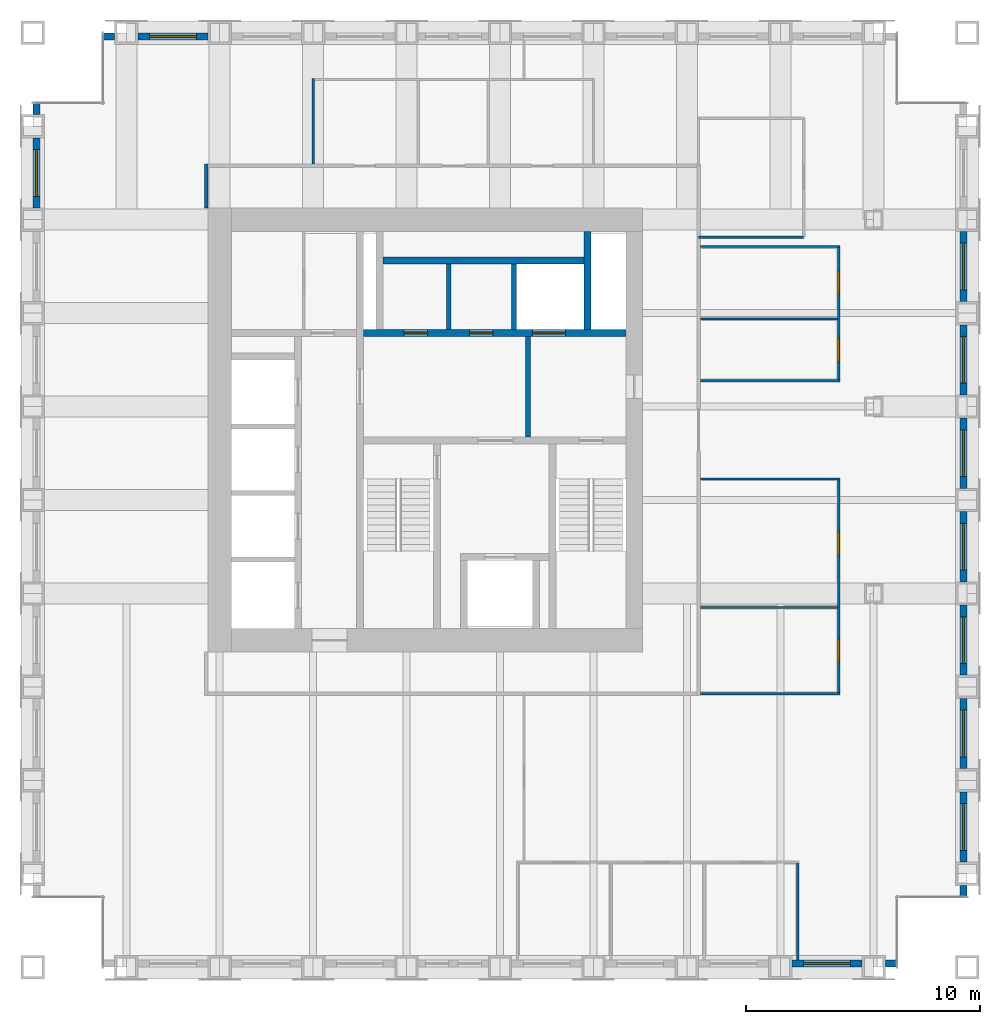
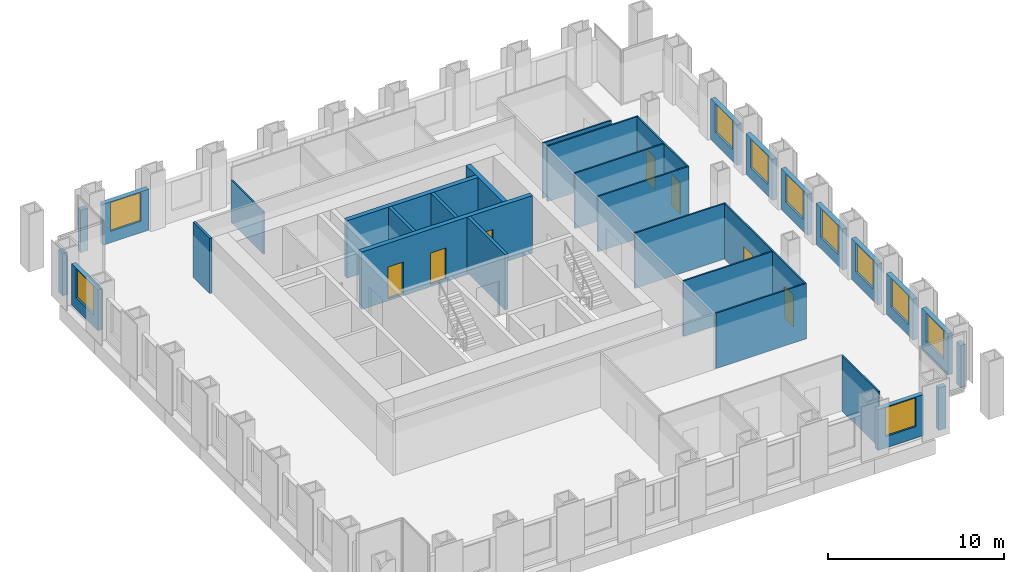
# One storey, part 9 of 11: 32 walls, 10 windows, 7 doors, 17 openings.
"""IFC4 building model written with IfcOpenShell, lengths in metres."""

import ifcopenshell
import ifcopenshell.guid

model = None  # the IFC model being written
_history = None  # IfcOwnerHistory: only IFC2X3 demands one
_inside = {}  # id of a spatial element -> (the spatial element, [elements in it])
_under = {}  # id of a project, library or spatial element -> (it, [spatial elements below it])
_declared = {}  # id of a project -> (the project, [libraries it declares])
_typed = {}  # id of a type object -> (the type object, [elements of that type])
_made_of = {}  # id of a material, layer set ... -> (it, [elements and type objects made of it])


def new_model(schema):
    """Start an empty IFC model of exactly this schema.

    Asked for "IFC4X3", IfcOpenShell would pick the latest addendum, in which some entities
    have other attributes; the version numbers below select the first issue.
    IFC2X3 requires an IfcOwnerHistory on every rooted entity: one is made here for all.
    """
    global model, _history
    if schema == "IFC4X3":
        model = ifcopenshell.file(schema_version=(4, 3, 0, 0))
    else:
        model = ifcopenshell.file(schema=schema)
    _inside.clear()
    _under.clear()
    _declared.clear()
    _typed.clear()
    _made_of.clear()
    _history = None
    if model.schema == "IFC2X3":
        org = make("IfcOrganization", Name="unknown")
        user = make(
            "IfcPersonAndOrganization",
            ThePerson=make("IfcPerson", FamilyName="unknown"),
            TheOrganization=org,
        )
        app = make(
            "IfcApplication",
            ApplicationDeveloper=org,
            Version="unknown",
            ApplicationFullName="unknown",
            ApplicationIdentifier="unknown",
        )
        _history = make(
            "IfcOwnerHistory",
            OwningUser=user,
            OwningApplication=app,
            ChangeAction="ADDED",
            CreationDate=0,
        )
    return model


def make(cls, **values):
    """One entity of the class cls with the attributes given. An attribute that is None is left unset."""
    return model.create_entity(
        cls, **{name: value for name, value in values.items() if value is not None}
    )


def rooted(cls, **values):
    """An entity with a GlobalId (a new one), such as an element, a storey or a relation."""
    return make(cls, GlobalId=ifcopenshell.guid.new(), OwnerHistory=_history, **values)


def si_unit(unit_type, name, prefix=None):
    """IfcSIUnit, for example si_unit("LENGTHUNIT", "METRE", prefix="MILLI")."""
    return make("IfcSIUnit", UnitType=unit_type, Prefix=prefix, Name=name)


def assignment(units):
    """IfcUnitAssignment: the units of a project."""
    return None if units is None else make("IfcUnitAssignment", Units=units)


def point(xyz):
    """IfcCartesianPoint."""
    return None if xyz is None else make("IfcCartesianPoint", Coordinates=xyz)


def direction(xyz):
    """IfcDirection."""
    return None if xyz is None else make("IfcDirection", DirectionRatios=xyz)


def frame(location, z_axis=None, x_axis=None):
    """IfcAxis2Placement3D, a coordinate frame: its origin and axes. An axis left out is left unset."""
    return make(
        "IfcAxis2Placement3D",
        Location=point(location),
        Axis=direction(z_axis),
        RefDirection=direction(x_axis),
    )


def frame_2d(location, x_axis=None):
    """IfcAxis2Placement2D, a coordinate frame in the plane: its origin and x axis."""
    return make(
        "IfcAxis2Placement2D", Location=point(location), RefDirection=direction(x_axis)
    )


def origin():
    """The frame at (0, 0, 0) with its axes left unset."""
    return frame((0.0, 0.0, 0.0))


def place(relative_to, where):
    """IfcLocalPlacement: puts the frame where relative to a parent placement (None: the world)."""
    return make(
        "IfcLocalPlacement", PlacementRelTo=relative_to, RelativePlacement=where
    )


def context(
    kind, dimensions, precision=None, world=None, true_north=None, identifier=None
):
    """IfcGeometricRepresentationContext, for example the 3D "Model" context."""
    return make(
        "IfcGeometricRepresentationContext",
        ContextIdentifier=identifier,
        ContextType=kind,
        CoordinateSpaceDimension=dimensions,
        Precision=precision,
        WorldCoordinateSystem=world,
        TrueNorth=true_north,
    )


def subcontext(parent, identifier, kind, view, scale=None):
    """IfcGeometricRepresentationSubContext, for example "Body" below "Model"."""
    return make(
        "IfcGeometricRepresentationSubContext",
        ContextIdentifier=identifier,
        ContextType=kind,
        ParentContext=parent,
        TargetScale=scale,
        TargetView=view,
    )


def project(units=None, contexts=None):
    """IfcProject with its units and contexts."""
    return rooted(
        "IfcProject",
        Name="project",
        RepresentationContexts=contexts,
        UnitsInContext=assignment(units),
    )


def spatial(cls, under=None, at=None, **own):
    """A site, building, storey or space (cls), placed at a placement, below another one or the project."""
    s = rooted(cls, ObjectPlacement=at, **own)
    if under is not None:
        _under.setdefault(under.id(), (under, []))[1].append(s)
    return s


def profile(cls, at=None, kind="AREA", **sizes):
    """A parametric profile (cls). Its sizes go by their IFC names, for example OverallWidth=200.0."""
    return make(cls, ProfileType=kind, Position=at, **sizes)


def rectangle(**sizes):
    """IfcRectangleProfileDef."""
    return profile("IfcRectangleProfileDef", **sizes)


def extrude(swept, where, along, depth):
    """IfcExtrudedAreaSolid: the profile swept, set in the frame where, extruded along a direction by depth."""
    return make(
        "IfcExtrudedAreaSolid",
        SweptArea=swept,
        Position=where,
        ExtrudedDirection=direction(along),
        Depth=depth,
    )


def shape(context_of_items, identifier, shape_type, items):
    """IfcShapeRepresentation: the items that make up one representation, for example the "Body"."""
    return make(
        "IfcShapeRepresentation",
        ContextOfItems=context_of_items,
        RepresentationIdentifier=identifier,
        RepresentationType=shape_type,
        Items=items,
    )


def material(Name=None, Category=None):
    """IfcMaterial."""
    return make("IfcMaterial", Name=Name, Category=Category)


def layer(
    of_material, thickness, ventilated=None, Name=None, Category=None, Priority=None
):
    """IfcMaterialLayer: one layer of a wall or slab, of a material (None: an air gap)."""
    return make(
        "IfcMaterialLayer",
        Material=of_material,
        LayerThickness=thickness,
        IsVentilated=ventilated,
        Name=Name,
        Category=Category,
        Priority=Priority,
    )


def layer_set(layers, Name=None):
    """IfcMaterialLayerSet."""
    return make("IfcMaterialLayerSet", MaterialLayers=layers, LayerSetName=Name)


def made_of(thing, what):
    """Note that an element or type object is made of a material, layer set ...; save() writes the relation."""
    if what is not None:
        _made_of.setdefault(what.id(), (what, []))[1].append(thing)
    return thing


def type_object(cls, material=None, **own):
    """A type object (cls), such as IfcWallType, which elements share."""
    return made_of(rooted(cls, **own), material)


def element(
    cls,
    number,
    at=None,
    inside=None,
    cuts=None,
    type_object=None,
    material=None,
    context=None,
    identifier="Body",
    shape_type=None,
    held_by="IfcProductDefinitionShape",
    body=None,
    shapes=None,
    **own,
):
    """One element of the class cls, such as IfcWall. Its Tag is "e" and its number.

    at: its placement. inside: the storey or other place that contains it. cuts: it is an
    opening in that element (IfcRelVoidsElement). A single representation is given by context,
    identifier, shape_type and body (its items); several are given by shapes. held_by: the class
    of the entity that holds the representations. save() writes the other relations.
    """
    e = rooted(cls, Tag="e%d" % number, ObjectPlacement=at, **own)
    if body is not None:
        shapes = [shape(context, identifier, shape_type, body)]
    if shapes is not None:
        e.Representation = make(held_by, Representations=shapes)
    if inside is not None:
        _inside.setdefault(inside.id(), (inside, []))[1].append(e)
    if cuts is not None:
        rooted(
            "IfcRelVoidsElement", RelatingBuildingElement=cuts, RelatedOpeningElement=e
        )
    if type_object is not None:
        _typed.setdefault(type_object.id(), (type_object, []))[1].append(e)
    return made_of(e, material)


def fill(opening, filler):
    """IfcRelFillsElement: the door or window that sits in an opening."""
    return rooted(
        "IfcRelFillsElement",
        RelatingOpeningElement=opening,
        RelatedBuildingElement=filler,
    )


def aggregate(whole, parts):
    """IfcRelAggregates: a whole, such as a stair, and the parts it consists of."""
    return rooted("IfcRelAggregates", RelatingObject=whole, RelatedObjects=parts)


def save(model, path):
    """Write the relations noted so far, then the file.

    IfcRelAggregates (storeys below a building ...), IfcRelContainedInSpatialStructure (elements
    in a storey), IfcRelDefinesByType, IfcRelAssociatesMaterial and IfcRelDeclares: one each for
    every whole, place, type object, material and project.
    """
    for whole, parts in _under.values():
        aggregate(whole, parts)
    for where, things in _inside.values():
        rooted(
            "IfcRelContainedInSpatialStructure",
            RelatedElements=things,
            RelatingStructure=where,
        )
    for kind, things in _typed.values():
        rooted("IfcRelDefinesByType", RelatedObjects=things, RelatingType=kind)
    for what, things in _made_of.values():
        rooted("IfcRelAssociatesMaterial", RelatedObjects=things, RelatingMaterial=what)
    for by, libraries in _declared.values():
        rooted("IfcRelDeclares", RelatingContext=by, RelatedDefinitions=libraries)
    model.write(path)


model = new_model("IFC4")

# Units and contexts
model_context = context("Model", 3, precision=1e-05, world=origin(), true_north=direction((0.0, 1.0)))
body_context = subcontext(model_context, "Body", "Model", "MODEL_VIEW")
ifc_project = project(units=[si_unit("LENGTHUNIT", "METRE"), si_unit("AREAUNIT", "SQUARE_METRE"), si_unit("VOLUMEUNIT", "CUBIC_METRE"), si_unit("PLANEANGLEUNIT", "RADIAN"), si_unit("MASSUNIT", "GRAM", prefix="KILO")], contexts=[model_context])

# Site, building, storey
site_placement = place(None, origin())
site = spatial("IfcSite", under=ifc_project, at=site_placement, CompositionType="ELEMENT")
building_placement = place(site_placement, origin())
building = spatial("IfcBuilding", under=site, at=building_placement, Name="Rimbunsela Tower", CompositionType="ELEMENT")
storey_placement = place(building_placement, frame((0.0, 0.0, 250.199951171875)))
storey = spatial("IfcBuildingStorey", under=building, at=storey_placement, Name="L60", CompositionType="ELEMENT", Elevation=250.199951171875)

# Wall, openings, doors
ifc_material_1 = material(Name="Concrete fc' 80 MPa", Category="concrete")
ifc_layer_1 = layer(ifc_material_1, 0.300048828125)
ifc_layer_set_1 = layer_set([ifc_layer_1], Name="Core internal wall 300")
wall_type_1 = type_object("IfcWallType", Name="Core internal wall 300", PredefinedType="SHEAR", material=ifc_layer_set_1)
wall_1_placement = place(storey_placement, frame((24.14990234375, 31.14990234375, -0.14990234375), z_axis=(0.0, 0.0, 1.0), x_axis=(1.0, 0.0, 0.0)))
wall_1 = element("IfcWall", 1, at=wall_1_placement, inside=storey, type_object=wall_type_1, Name="Lift shaft front north", PredefinedType="SHEAR", context=body_context, shape_type="SweptSolid", body=[
    extrude(rectangle(XDim=11.25, YDim=0.300048828125, at=frame_2d((5.625, 0.0))), origin(), (0.0, 0.0, 1.0), 4.0),
])
opening_1_placement = place(wall_1_placement, frame((1.75, 0.0, 0.14990234375)))
opening_1 = element("IfcOpeningElement", 2, at=opening_1_placement, cuts=wall_1, Name="Opening D19", PredefinedType="OPENING", context=body_context, shape_type="SweptSolid", body=[
    extrude(rectangle(XDim=1.0, YDim=2.199951171875, at=frame_2d((0.5, 1.10009765625))), frame((0.0, 0.159912109375, 0.0), z_axis=(0.0, -1.0, 0.0), x_axis=(1.0, 0.0, 0.0)), (0.0, 0.0, 1.0), 0.320068359375),
])
opening_2_placement = place(wall_1_placement, frame((4.550048828125, 0.0, 0.14990234375)))
opening_2 = element("IfcOpeningElement", 3, at=opening_2_placement, cuts=wall_1, Name="Opening D19", PredefinedType="OPENING", context=body_context, shape_type="SweptSolid", body=[
    extrude(rectangle(XDim=1.0, YDim=2.199951171875, at=frame_2d((0.5, 1.10009765625))), frame((0.0, 0.159912109375, 0.0), z_axis=(0.0, -1.0, 0.0), x_axis=(1.0, 0.0, 0.0)), (0.0, 0.0, 1.0), 0.320068359375),
])
opening_3_placement = place(wall_1_placement, frame((7.25, 0.0, 0.14990234375)))
opening_3 = element("IfcOpeningElement", 4, at=opening_3_placement, cuts=wall_1, Name="Opening LD3", PredefinedType="OPENING", context=body_context, shape_type="SweptSolid", body=[
    extrude(rectangle(XDim=1.39990234375, YDim=2.39990234375, at=frame_2d((0.699951171875, 1.199951171875))), frame((0.0, 0.159912109375, 0.0), z_axis=(0.0, -1.0, 0.0), x_axis=(1.0, 0.0, 0.0)), (0.0, 0.0, 1.0), 0.320068359375),
])
ifc_material_2 = material(Name="Steel door, fire rated", Category="steel")
door_type_1 = type_object("IfcDoorType", Name="Lift landing door 1400", OperationType="DOUBLE_DOOR_SLIDING", PredefinedType="DOOR", material=ifc_material_2)
door_1_placement = place(opening_3_placement, origin())
door_1 = element("IfcDoor", 5, at=door_1_placement, inside=storey, type_object=door_type_1, Name="Lift landing door FL2", OperationType="DOUBLE_DOOR_SLIDING", OverallHeight=2.39990234375, OverallWidth=1.39990234375, PredefinedType="DOOR", context=body_context, shape_type="SweptSolid", body=[
    extrude(rectangle(XDim=1.39990234375, YDim=2.39990234375, at=frame_2d((0.699951171875, 1.199951171875))), frame((0.0, 0.02490234375, 0.0), z_axis=(0.0, -1.0, 0.0), x_axis=(1.0, 0.0, 0.0)), (0.0, 0.0, 1.0), 0.050048828125),
])
fill(opening_3, door_1)
ifc_material_3 = material(Name="Steel door, fire rated", Category="steel")
door_type_2 = type_object("IfcDoorType", Name="Service door 1000 fire rated", OperationType="SINGLE_SWING_LEFT", PredefinedType="DOOR", material=ifc_material_3)
door_2_placement = place(opening_1_placement, origin())
door_2 = element("IfcDoor", 6, at=door_2_placement, inside=storey, type_object=door_type_2, Name="Staff WC door", OperationType="SINGLE_SWING_LEFT", OverallHeight=2.199951171875, OverallWidth=1.0, PredefinedType="DOOR", context=body_context, shape_type="SweptSolid", body=[
    extrude(rectangle(XDim=1.0, YDim=2.199951171875, at=frame_2d((0.5, 1.10009765625))), frame((0.0, 0.02490234375, 0.0), z_axis=(0.0, -1.0, 0.0), x_axis=(1.0, 0.0, 0.0)), (0.0, 0.0, 1.0), 0.050048828125),
])
fill(opening_1, door_2)
door_3_placement = place(opening_2_placement, origin())
door_3 = element("IfcDoor", 7, at=door_3_placement, inside=storey, type_object=door_type_2, Name="Cleaners store door", OperationType="SINGLE_SWING_LEFT", OverallHeight=2.199951171875, OverallWidth=1.0, PredefinedType="DOOR", context=body_context, shape_type="SweptSolid", body=[
    extrude(rectangle(XDim=1.0, YDim=2.199951171875, at=frame_2d((0.5, 1.10009765625))), frame((0.0, 0.02490234375, 0.0), z_axis=(0.0, -1.0, 0.0), x_axis=(1.0, 0.0, 0.0)), (0.0, 0.0, 1.0), 0.050048828125),
])
fill(opening_2, door_3)

# Walls
wall_2_placement = place(storey_placement, frame((33.75, 31.300048828125, -0.14990234375), z_axis=(0.0, 0.0, 1.0), x_axis=(0.0, 1.0, 0.0)))
element("IfcWall", 8, at=wall_2_placement, inside=storey, type_object=wall_type_1, Name="Riser wall", PredefinedType="SHEAR", context=body_context, shape_type="SweptSolid", body=[
    extrude(rectangle(XDim=4.199951171875, YDim=0.300048828125, at=frame_2d((2.10009765625, 0.0))), origin(), (0.0, 0.0, 1.0), 4.0),
])
wall_3_placement = place(storey_placement, frame((25.0, 34.25, -0.14990234375), z_axis=(0.0, 0.0, 1.0), x_axis=(1.0, 0.0, 0.0)))
element("IfcWall", 9, at=wall_3_placement, inside=storey, type_object=wall_type_1, Name="Lift shaft rear north", PredefinedType="SHEAR", context=body_context, shape_type="SweptSolid", body=[
    extrude(rectangle(XDim=8.60009765625, YDim=0.300048828125, at=frame_2d((4.300048828125, 0.0))), origin(), (0.0, 0.0, 1.0), 4.0),
])
ifc_material_4 = material(Name="Concrete blockwork", Category="masonry")
ifc_layer_2 = layer(ifc_material_4, 0.199951171875)
ifc_layer_set_2 = layer_set([ifc_layer_2], Name="Lift shaft wall 200")
wall_type_2 = type_object("IfcWallType", Name="Lift shaft wall 200", PredefinedType="SOLIDWALL", material=ifc_layer_set_2)
for number, where, z_axis, x_axis, name in (
    (10, (27.800048828125, 31.300048828125, -0.14990234375), (0.0, 0.0, 1.0), (0.0, 1.0, 0.0), "Lift shaft separation"),
    (11, (30.60009765625, 31.300048828125, -0.14990234375), (0.0, 0.0, 1.0), (0.0, 1.0, 0.0), "Lift shaft separation"),
):
    element("IfcWall", number, at=place(storey_placement, frame(where, z_axis=z_axis, x_axis=x_axis)), inside=storey, type_object=wall_type_2, Name=name, PredefinedType="SOLIDWALL", context=body_context, shape_type="SweptSolid", body=[
        extrude(rectangle(XDim=2.800048828125, YDim=0.199951171875, at=frame_2d((1.39990234375, 0.0))), origin(), (0.0, 0.0, 1.0), 4.0),
    ])
wall_4_placement = place(storey_placement, frame((31.199951171875, 26.699951171875, 0.0), z_axis=(0.0, 0.0, 1.0), x_axis=(0.0, 1.0, 0.0)))
element("IfcWall", 12, at=wall_4_placement, inside=storey, type_object=wall_type_2, Name="Firefighting lobby 2 wall", PredefinedType="SOLIDWALL", context=body_context, shape_type="SweptSolid", body=[
    extrude(rectangle(XDim=4.300048828125, YDim=0.199951171875, at=frame_2d((2.14990234375, 0.0))), origin(), (0.0, 0.0, 1.0), 3.85009765625),
])
ifc_material_5 = material(Name="Gypsum board on steel studs", Category="steel")
ifc_layer_3 = layer(ifc_material_5, 0.10009765625)
ifc_layer_set_3 = layer_set([ifc_layer_3], Name="Office partition 100")
wall_type_3 = type_object("IfcWallType", Name="Office partition 100", PredefinedType="PARTITIONING", material=ifc_layer_set_3)
wall_5_placement = place(storey_placement, frame((38.574951171875, 15.699951171875, 0.0), z_axis=(0.0, 0.0, 1.0), x_axis=(1.0, 0.0, 0.0)))
element("IfcWall", 13, at=wall_5_placement, inside=storey, type_object=wall_type_3, Name="Office partition", PredefinedType="PARTITIONING", context=body_context, shape_type="SweptSolid", body=[
    extrude(rectangle(XDim=5.97509765625, YDim=0.10009765625, at=frame_2d((2.987548828125, 0.0))), origin(), (0.0, 0.0, 1.0), 3.85009765625),
])
wall_6_placement = place(storey_placement, frame((38.574951171875, 19.39990234375, 0.0), z_axis=(0.0, 0.0, 1.0), x_axis=(1.0, 0.0, 0.0)))
element("IfcWall", 14, at=wall_6_placement, inside=storey, type_object=wall_type_3, Name="Office partition", PredefinedType="PARTITIONING", context=body_context, shape_type="SweptSolid", body=[
    extrude(rectangle(XDim=5.875, YDim=0.10009765625, at=frame_2d((2.9375, 0.0))), origin(), (0.0, 0.0, 1.0), 3.85009765625),
])
for number, where, z_axis, x_axis, name in (
    (15, (38.574951171875, 24.89990234375, 0.0), (0.0, 0.0, 1.0), (1.0, 0.0, 0.0), "Office partition"),
    (16, (38.574951171875, 29.10009765625, 0.0), (0.0, 0.0, 1.0), (1.0, 0.0, 0.0), "Office partition"),
):
    element("IfcWall", number, at=place(storey_placement, frame(where, z_axis=z_axis, x_axis=x_axis)), inside=storey, type_object=wall_type_3, Name=name, PredefinedType="PARTITIONING", context=body_context, shape_type="SweptSolid", body=[
        extrude(rectangle(XDim=5.97509765625, YDim=0.10009765625, at=frame_2d((2.987548828125, 0.0))), origin(), (0.0, 0.0, 1.0), 3.85009765625),
    ])
wall_7_placement = place(storey_placement, frame((38.574951171875, 31.75, 0.0), z_axis=(0.0, 0.0, 1.0), x_axis=(1.0, 0.0, 0.0)))
element("IfcWall", 17, at=wall_7_placement, inside=storey, type_object=wall_type_3, Name="Office partition", PredefinedType="PARTITIONING", context=body_context, shape_type="SweptSolid", body=[
    extrude(rectangle(XDim=5.875, YDim=0.10009765625, at=frame_2d((2.9375, 0.0))), origin(), (0.0, 0.0, 1.0), 3.85009765625),
])
wall_8_placement = place(storey_placement, frame((38.574951171875, 34.85009765625, 0.0), z_axis=(0.0, 0.0, 1.0), x_axis=(1.0, 0.0, 0.0)))
element("IfcWall", 18, at=wall_8_placement, inside=storey, type_object=wall_type_3, Name="Office partition", PredefinedType="PARTITIONING", context=body_context, shape_type="SweptSolid", body=[
    extrude(rectangle(XDim=5.97509765625, YDim=0.10009765625, at=frame_2d((2.987548828125, 0.0))), origin(), (0.0, 0.0, 1.0), 3.85009765625),
])
wall_9_placement = place(storey_placement, frame((42.75, 4.300048828125, 0.0), z_axis=(0.0, 0.0, 1.0), x_axis=(0.0, 1.0, 0.0)))
element("IfcWall", 19, at=wall_9_placement, inside=storey, type_object=wall_type_3, Name="Office partition", PredefinedType="PARTITIONING", context=body_context, shape_type="SweptSolid", body=[
    extrude(rectangle(XDim=4.14990234375, YDim=0.10009765625, at=frame_2d((2.074951171875, 0.0))), origin(), (0.0, 0.0, 1.0), 3.85009765625),
])

# Wall, openings, doors
wall_10_placement = place(storey_placement, frame((44.5, 15.75, 0.0), z_axis=(0.0, 0.0, 1.0), x_axis=(0.0, 1.0, 0.0)))
wall_10 = element("IfcWall", 20, at=wall_10_placement, inside=storey, type_object=wall_type_3, Name="Office partition", PredefinedType="PARTITIONING", context=body_context, shape_type="SweptSolid", body=[
    extrude(rectangle(XDim=9.10009765625, YDim=0.10009765625, at=frame_2d((4.550048828125, 0.0))), origin(), (0.0, 0.0, 1.0), 3.85009765625),
])
opening_4_placement = place(wall_10_placement, frame((1.300048828125, 0.0, 0.0)))
opening_4 = element("IfcOpeningElement", 21, at=opening_4_placement, cuts=wall_10, Name="Opening D17", PredefinedType="OPENING", context=body_context, shape_type="SweptSolid", body=[
    extrude(rectangle(XDim=1.0, YDim=2.199951171875, at=frame_2d((0.5, 1.10009765625))), frame((0.0, 0.06005859375, 0.0), z_axis=(0.0, -1.0, 0.0), x_axis=(1.0, 0.0, 0.0)), (0.0, 0.0, 1.0), 0.1201171875),
])
opening_5_placement = place(wall_10_placement, frame((5.89990234375, 0.0, 0.0)))
opening_5 = element("IfcOpeningElement", 22, at=opening_5_placement, cuts=wall_10, Name="Opening D16", PredefinedType="OPENING", context=body_context, shape_type="SweptSolid", body=[
    extrude(rectangle(XDim=1.0, YDim=2.199951171875, at=frame_2d((0.5, 1.10009765625))), frame((0.0, 0.06005859375, 0.0), z_axis=(0.0, -1.0, 0.0), x_axis=(1.0, 0.0, 0.0)), (0.0, 0.0, 1.0), 0.1201171875),
])
ifc_material_6 = material(Name="Glazed aluminium door", Category="aluminium")
door_type_3 = type_object("IfcDoorType", Name="Meeting room door 1000 glazed", OperationType="SINGLE_SWING_RIGHT", PredefinedType="DOOR", material=ifc_material_6)
door_4_placement = place(opening_4_placement, origin())
door_4 = element("IfcDoor", 23, at=door_4_placement, inside=storey, type_object=door_type_3, Name="Meeting room door", OperationType="SINGLE_SWING_RIGHT", OverallHeight=2.199951171875, OverallWidth=1.0, PredefinedType="DOOR", context=body_context, shape_type="SweptSolid", body=[
    extrude(rectangle(XDim=1.0, YDim=2.199951171875, at=frame_2d((0.5, 1.10009765625))), frame((0.0, 0.02490234375, 0.0), z_axis=(0.0, -1.0, 0.0), x_axis=(1.0, 0.0, 0.0)), (0.0, 0.0, 1.0), 0.050048828125),
])
fill(opening_4, door_4)
ifc_material_7 = material(Name="Timber door", Category="wood")
door_type_4 = type_object("IfcDoorType", Name="Office door 1000", OperationType="SINGLE_SWING_LEFT", PredefinedType="DOOR", material=ifc_material_7)
door_5_placement = place(opening_5_placement, origin())
door_5 = element("IfcDoor", 24, at=door_5_placement, inside=storey, type_object=door_type_4, Name="Office door", OperationType="SINGLE_SWING_LEFT", OverallHeight=2.199951171875, OverallWidth=1.0, PredefinedType="DOOR", context=body_context, shape_type="SweptSolid", body=[
    extrude(rectangle(XDim=1.0, YDim=2.199951171875, at=frame_2d((0.5, 1.10009765625))), frame((0.0, 0.02490234375, 0.0), z_axis=(0.0, -1.0, 0.0), x_axis=(1.0, 0.0, 0.0)), (0.0, 0.0, 1.0), 0.050048828125),
])
fill(opening_5, door_5)

wall_11_placement = place(storey_placement, frame((44.5, 29.14990234375, 0.0), z_axis=(0.0, 0.0, 1.0), x_axis=(0.0, 1.0, 0.0)))
wall_11 = element("IfcWall", 25, at=wall_11_placement, inside=storey, type_object=wall_type_3, Name="Office partition", PredefinedType="PARTITIONING", context=body_context, shape_type="SweptSolid", body=[
    extrude(rectangle(XDim=5.650146484375, YDim=0.10009765625, at=frame_2d((2.8251953125, 0.0))), origin(), (0.0, 0.0, 1.0), 3.85009765625),
])
opening_6_placement = place(wall_11_placement, frame((0.77490234375, 0.0, 0.0)))
opening_6 = element("IfcOpeningElement", 26, at=opening_6_placement, cuts=wall_11, Name="Opening D16", PredefinedType="OPENING", context=body_context, shape_type="SweptSolid", body=[
    extrude(rectangle(XDim=1.0, YDim=2.199951171875, at=frame_2d((0.5, 1.10009765625))), frame((0.0, 0.06005859375, 0.0), z_axis=(0.0, -1.0, 0.0), x_axis=(1.0, 0.0, 0.0)), (0.0, 0.0, 1.0), 0.1201171875),
])
opening_7_placement = place(wall_11_placement, frame((3.64990234375, 0.0, 0.0)))
opening_7 = element("IfcOpeningElement", 27, at=opening_7_placement, cuts=wall_11, Name="Opening D16", PredefinedType="OPENING", context=body_context, shape_type="SweptSolid", body=[
    extrude(rectangle(XDim=1.0, YDim=2.199951171875, at=frame_2d((0.5, 1.10009765625))), frame((0.0, 0.06005859375, 0.0), z_axis=(0.0, -1.0, 0.0), x_axis=(1.0, 0.0, 0.0)), (0.0, 0.0, 1.0), 0.1201171875),
])
door_6_placement = place(opening_6_placement, origin())
door_6 = element("IfcDoor", 28, at=door_6_placement, inside=storey, type_object=door_type_4, Name="Office door", OperationType="SINGLE_SWING_LEFT", OverallHeight=2.199951171875, OverallWidth=1.0, PredefinedType="DOOR", context=body_context, shape_type="SweptSolid", body=[
    extrude(rectangle(XDim=1.0, YDim=2.199951171875, at=frame_2d((0.5, 1.10009765625))), frame((0.0, 0.02490234375, 0.0), z_axis=(0.0, -1.0, 0.0), x_axis=(1.0, 0.0, 0.0)), (0.0, 0.0, 1.0), 0.050048828125),
])
fill(opening_6, door_6)
door_7_placement = place(opening_7_placement, origin())
door_7 = element("IfcDoor", 29, at=door_7_placement, inside=storey, type_object=door_type_4, Name="Office door", OperationType="SINGLE_SWING_LEFT", OverallHeight=2.199951171875, OverallWidth=1.0, PredefinedType="DOOR", context=body_context, shape_type="SweptSolid", body=[
    extrude(rectangle(XDim=1.0, YDim=2.199951171875, at=frame_2d((0.5, 1.10009765625))), frame((0.0, 0.02490234375, 0.0), z_axis=(0.0, -1.0, 0.0), x_axis=(1.0, 0.0, 0.0)), (0.0, 0.0, 1.0), 0.050048828125),
])
fill(opening_7, door_7)

# Wall
wall_12_placement = place(storey_placement, frame((38.5, 35.25, 0.0), z_axis=(0.0, 0.0, 1.0), x_axis=(1.0, 0.0, 0.0)))
element("IfcWall", 30, at=wall_12_placement, inside=storey, type_object=wall_type_3, Name="Office partition", PredefinedType="PARTITIONING", context=body_context, shape_type="SweptSolid", body=[
    extrude(rectangle(XDim=4.5, YDim=0.10009765625, at=frame_2d((2.25, 0.0))), origin(), (0.0, 0.0, 1.0), 3.85009765625),
])

# Wall, opening, window
ifc_material_8 = material(Name="Precast concrete fc' 35 MPa", Category="concrete")
ifc_layer_4 = layer(ifc_material_8, 0.300048828125)
ifc_layer_set_4 = layer_set([ifc_layer_4], Name="Precast concrete fc' 35 MPa")
wall_type_4 = type_object("IfcWallType", Name="Precast facade panel 300", PredefinedType="ELEMENTEDWALL", material=ifc_layer_set_4)
wall_13_placement = place(storey_placement, frame((42.5, 4.14990234375, 0.0), z_axis=(0.0, 0.0, 1.0), x_axis=(1.0, 0.0, 0.0)))
wall_13 = element("IfcWall", 31, at=wall_13_placement, inside=storey, type_object=wall_type_4, Name="Facade panel S L60", PredefinedType="ELEMENTEDWALL", context=body_context, shape_type="SweptSolid", body=[
    extrude(rectangle(XDim=3.0, YDim=0.300048828125, at=frame_2d((1.5, 0.0))), origin(), (0.0, 0.0, 1.0), 2.85009765625),
])
opening_8_placement = place(wall_13_placement, frame((0.5, 0.0, 0.800048828125)))
opening_8 = element("IfcOpeningElement", 32, at=opening_8_placement, cuts=wall_13, Name="Opening W1", PredefinedType="OPENING", context=body_context, shape_type="SweptSolid", body=[
    extrude(rectangle(XDim=2.0, YDim=2.0, at=frame_2d((1.0, 1.0))), frame((0.0, 0.159912109375, 0.0), z_axis=(0.0, -1.0, 0.0), x_axis=(1.0, 0.0, 0.0)), (0.0, 0.0, 1.0), 0.320068359375),
])
ifc_material_9 = material(Name="Clear glass in aluminium frame", Category="aluminium")
window_type = type_object("IfcWindowType", Name="Window W1 2000x2000", PartitioningType="DOUBLE_PANEL_VERTICAL", PredefinedType="WINDOW", material=ifc_material_9)
window_1_placement = place(opening_8_placement, origin())
window_1 = element("IfcWindow", 33, at=window_1_placement, inside=storey, type_object=window_type, Name="Window L60", OverallHeight=2.0, OverallWidth=2.0, PartitioningType="SINGLE_PANEL", PredefinedType="WINDOW", context=body_context, shape_type="SweptSolid", body=[
    extrude(rectangle(XDim=2.0, YDim=2.0, at=frame_2d((1.0, 1.0))), frame((0.0, 0.030029296875, 0.0), z_axis=(0.0, -1.0, 0.0), x_axis=(1.0, 0.0, 0.0)), (0.0, 0.0, 1.0), 0.06005859375),
])
fill(opening_8, window_1)

# Walls
for number, where, z_axis, x_axis, name in (
    (34, (46.5, 4.14990234375, 0.0), (0.0, 0.0, 1.0), (1.0, 0.0, 0.0), "Facade panel S L60"),
    (35, (49.85009765625, 7.030029296875, 0.0), (0.0, 0.0, 1.0), (0.0, 1.0, 0.0), "Facade panel E L60"),
):
    element("IfcWall", number, at=place(storey_placement, frame(where, z_axis=z_axis, x_axis=x_axis)), inside=storey, type_object=wall_type_4, Name=name, PredefinedType="ELEMENTEDWALL", context=body_context, shape_type="SweptSolid", body=[
        extrude(rectangle(XDim=0.469970703125, YDim=0.300048828125, at=frame_2d((0.23486328125, 0.0))), origin(), (0.0, 0.0, 1.0), 2.949951171875),
    ])

# Wall, opening, window
wall_14_placement = place(storey_placement, frame((49.85009765625, 8.5, 0.0), z_axis=(0.0, 0.0, 1.0), x_axis=(0.0, 1.0, 0.0)))
wall_14 = element("IfcWall", 36, at=wall_14_placement, inside=storey, type_object=wall_type_4, Name="Facade panel E L60", PredefinedType="ELEMENTEDWALL", context=body_context, shape_type="SweptSolid", body=[
    extrude(rectangle(XDim=3.0, YDim=0.300048828125, at=frame_2d((1.5, 0.0))), origin(), (0.0, 0.0, 1.0), 2.85009765625),
])
opening_9_placement = place(wall_14_placement, frame((0.5, 0.0, 0.800048828125)))
opening_9 = element("IfcOpeningElement", 37, at=opening_9_placement, cuts=wall_14, Name="Opening W1", PredefinedType="OPENING", context=body_context, shape_type="SweptSolid", body=[
    extrude(rectangle(XDim=2.0, YDim=2.0, at=frame_2d((1.0, 1.0))), frame((0.0, 0.159912109375, 0.0), z_axis=(0.0, -1.0, 0.0), x_axis=(1.0, 0.0, 0.0)), (0.0, 0.0, 1.0), 0.320068359375),
])
window_2_placement = place(opening_9_placement, origin())
window_2 = element("IfcWindow", 38, at=window_2_placement, inside=storey, type_object=window_type, Name="Window L60", OverallHeight=2.0, OverallWidth=2.0, PartitioningType="SINGLE_PANEL", PredefinedType="WINDOW", context=body_context, shape_type="SweptSolid", body=[
    extrude(rectangle(XDim=2.0, YDim=2.0, at=frame_2d((1.0, 1.0))), frame((0.0, 0.030029296875, 0.0), z_axis=(0.0, -1.0, 0.0), x_axis=(1.0, 0.0, 0.0)), (0.0, 0.0, 1.0), 0.06005859375),
])
fill(opening_9, window_2)

wall_15_placement = place(storey_placement, frame((49.85009765625, 12.5, 0.0), z_axis=(0.0, 0.0, 1.0), x_axis=(0.0, 1.0, 0.0)))
wall_15 = element("IfcWall", 39, at=wall_15_placement, inside=storey, type_object=wall_type_4, Name="Facade panel E L60", PredefinedType="ELEMENTEDWALL", context=body_context, shape_type="SweptSolid", body=[
    extrude(rectangle(XDim=3.0, YDim=0.300048828125, at=frame_2d((1.5, 0.0))), origin(), (0.0, 0.0, 1.0), 2.85009765625),
])
opening_10_placement = place(wall_15_placement, frame((0.5, 0.0, 0.800048828125)))
opening_10 = element("IfcOpeningElement", 40, at=opening_10_placement, cuts=wall_15, Name="Opening W1", PredefinedType="OPENING", context=body_context, shape_type="SweptSolid", body=[
    extrude(rectangle(XDim=2.0, YDim=2.0, at=frame_2d((1.0, 1.0))), frame((0.0, 0.159912109375, 0.0), z_axis=(0.0, -1.0, 0.0), x_axis=(1.0, 0.0, 0.0)), (0.0, 0.0, 1.0), 0.320068359375),
])
window_3_placement = place(opening_10_placement, origin())
window_3 = element("IfcWindow", 41, at=window_3_placement, inside=storey, type_object=window_type, Name="Window L60", OverallHeight=2.0, OverallWidth=2.0, PartitioningType="SINGLE_PANEL", PredefinedType="WINDOW", context=body_context, shape_type="SweptSolid", body=[
    extrude(rectangle(XDim=2.0, YDim=2.0, at=frame_2d((1.0, 1.0))), frame((0.0, 0.030029296875, 0.0), z_axis=(0.0, -1.0, 0.0), x_axis=(1.0, 0.0, 0.0)), (0.0, 0.0, 1.0), 0.06005859375),
])
fill(opening_10, window_3)

wall_16_placement = place(storey_placement, frame((49.85009765625, 16.5, 0.0), z_axis=(0.0, 0.0, 1.0), x_axis=(0.0, 1.0, 0.0)))
wall_16 = element("IfcWall", 42, at=wall_16_placement, inside=storey, type_object=wall_type_4, Name="Facade panel E L60", PredefinedType="ELEMENTEDWALL", context=body_context, shape_type="SweptSolid", body=[
    extrude(rectangle(XDim=3.0, YDim=0.300048828125, at=frame_2d((1.5, 0.0))), origin(), (0.0, 0.0, 1.0), 2.85009765625),
])
opening_11_placement = place(wall_16_placement, frame((0.5, 0.0, 0.800048828125)))
opening_11 = element("IfcOpeningElement", 43, at=opening_11_placement, cuts=wall_16, Name="Opening W1", PredefinedType="OPENING", context=body_context, shape_type="SweptSolid", body=[
    extrude(rectangle(XDim=2.0, YDim=2.0, at=frame_2d((1.0, 1.0))), frame((0.0, 0.159912109375, 0.0), z_axis=(0.0, -1.0, 0.0), x_axis=(1.0, 0.0, 0.0)), (0.0, 0.0, 1.0), 0.320068359375),
])
window_4_placement = place(opening_11_placement, origin())
window_4 = element("IfcWindow", 44, at=window_4_placement, inside=storey, type_object=window_type, Name="Window L60", OverallHeight=2.0, OverallWidth=2.0, PartitioningType="SINGLE_PANEL", PredefinedType="WINDOW", context=body_context, shape_type="SweptSolid", body=[
    extrude(rectangle(XDim=2.0, YDim=2.0, at=frame_2d((1.0, 1.0))), frame((0.0, 0.030029296875, 0.0), z_axis=(0.0, -1.0, 0.0), x_axis=(1.0, 0.0, 0.0)), (0.0, 0.0, 1.0), 0.06005859375),
])
fill(opening_11, window_4)

wall_17_placement = place(storey_placement, frame((49.85009765625, 20.5, 0.0), z_axis=(0.0, 0.0, 1.0), x_axis=(0.0, 1.0, 0.0)))
wall_17 = element("IfcWall", 45, at=wall_17_placement, inside=storey, type_object=wall_type_4, Name="Facade panel E L60", PredefinedType="ELEMENTEDWALL", context=body_context, shape_type="SweptSolid", body=[
    extrude(rectangle(XDim=3.0, YDim=0.300048828125, at=frame_2d((1.5, 0.0))), origin(), (0.0, 0.0, 1.0), 2.85009765625),
])
opening_12_placement = place(wall_17_placement, frame((0.5, 0.0, 0.800048828125)))
opening_12 = element("IfcOpeningElement", 46, at=opening_12_placement, cuts=wall_17, Name="Opening W1", PredefinedType="OPENING", context=body_context, shape_type="SweptSolid", body=[
    extrude(rectangle(XDim=2.0, YDim=2.0, at=frame_2d((1.0, 1.0))), frame((0.0, 0.159912109375, 0.0), z_axis=(0.0, -1.0, 0.0), x_axis=(1.0, 0.0, 0.0)), (0.0, 0.0, 1.0), 0.320068359375),
])
window_5_placement = place(opening_12_placement, origin())
window_5 = element("IfcWindow", 47, at=window_5_placement, inside=storey, type_object=window_type, Name="Window L60", OverallHeight=2.0, OverallWidth=2.0, PartitioningType="SINGLE_PANEL", PredefinedType="WINDOW", context=body_context, shape_type="SweptSolid", body=[
    extrude(rectangle(XDim=2.0, YDim=2.0, at=frame_2d((1.0, 1.0))), frame((0.0, 0.030029296875, 0.0), z_axis=(0.0, -1.0, 0.0), x_axis=(1.0, 0.0, 0.0)), (0.0, 0.0, 1.0), 0.06005859375),
])
fill(opening_12, window_5)

wall_18_placement = place(storey_placement, frame((49.85009765625, 24.5, 0.0), z_axis=(0.0, 0.0, 1.0), x_axis=(0.0, 1.0, 0.0)))
wall_18 = element("IfcWall", 48, at=wall_18_placement, inside=storey, type_object=wall_type_4, Name="Facade panel E L60", PredefinedType="ELEMENTEDWALL", context=body_context, shape_type="SweptSolid", body=[
    extrude(rectangle(XDim=3.0, YDim=0.300048828125, at=frame_2d((1.5, 0.0))), origin(), (0.0, 0.0, 1.0), 2.85009765625),
])
opening_13_placement = place(wall_18_placement, frame((0.5, 0.0, 0.800048828125)))
opening_13 = element("IfcOpeningElement", 49, at=opening_13_placement, cuts=wall_18, Name="Opening W1", PredefinedType="OPENING", context=body_context, shape_type="SweptSolid", body=[
    extrude(rectangle(XDim=2.0, YDim=2.0, at=frame_2d((1.0, 1.0))), frame((0.0, 0.159912109375, 0.0), z_axis=(0.0, -1.0, 0.0), x_axis=(1.0, 0.0, 0.0)), (0.0, 0.0, 1.0), 0.320068359375),
])
window_6_placement = place(opening_13_placement, origin())
window_6 = element("IfcWindow", 50, at=window_6_placement, inside=storey, type_object=window_type, Name="Window L60", OverallHeight=2.0, OverallWidth=2.0, PartitioningType="SINGLE_PANEL", PredefinedType="WINDOW", context=body_context, shape_type="SweptSolid", body=[
    extrude(rectangle(XDim=2.0, YDim=2.0, at=frame_2d((1.0, 1.0))), frame((0.0, 0.030029296875, 0.0), z_axis=(0.0, -1.0, 0.0), x_axis=(1.0, 0.0, 0.0)), (0.0, 0.0, 1.0), 0.06005859375),
])
fill(opening_13, window_6)

wall_19_placement = place(storey_placement, frame((49.85009765625, 28.5, 0.0), z_axis=(0.0, 0.0, 1.0), x_axis=(0.0, 1.0, 0.0)))
wall_19 = element("IfcWall", 51, at=wall_19_placement, inside=storey, type_object=wall_type_4, Name="Facade panel E L60", PredefinedType="ELEMENTEDWALL", context=body_context, shape_type="SweptSolid", body=[
    extrude(rectangle(XDim=3.0, YDim=0.300048828125, at=frame_2d((1.5, 0.0))), origin(), (0.0, 0.0, 1.0), 2.85009765625),
])
opening_14_placement = place(wall_19_placement, frame((0.5, 0.0, 0.800048828125)))
opening_14 = element("IfcOpeningElement", 52, at=opening_14_placement, cuts=wall_19, Name="Opening W1", PredefinedType="OPENING", context=body_context, shape_type="SweptSolid", body=[
    extrude(rectangle(XDim=2.0, YDim=2.0, at=frame_2d((1.0, 1.0))), frame((0.0, 0.159912109375, 0.0), z_axis=(0.0, -1.0, 0.0), x_axis=(1.0, 0.0, 0.0)), (0.0, 0.0, 1.0), 0.320068359375),
])
window_7_placement = place(opening_14_placement, origin())
window_7 = element("IfcWindow", 53, at=window_7_placement, inside=storey, type_object=window_type, Name="Window L60", OverallHeight=2.0, OverallWidth=2.0, PartitioningType="SINGLE_PANEL", PredefinedType="WINDOW", context=body_context, shape_type="SweptSolid", body=[
    extrude(rectangle(XDim=2.0, YDim=2.0, at=frame_2d((1.0, 1.0))), frame((0.0, 0.030029296875, 0.0), z_axis=(0.0, -1.0, 0.0), x_axis=(1.0, 0.0, 0.0)), (0.0, 0.0, 1.0), 0.06005859375),
])
fill(opening_14, window_7)

wall_20_placement = place(storey_placement, frame((49.85009765625, 32.5, 0.0), z_axis=(0.0, 0.0, 1.0), x_axis=(0.0, 1.0, 0.0)))
wall_20 = element("IfcWall", 54, at=wall_20_placement, inside=storey, type_object=wall_type_4, Name="Facade panel E L60", PredefinedType="ELEMENTEDWALL", context=body_context, shape_type="SweptSolid", body=[
    extrude(rectangle(XDim=3.0, YDim=0.300048828125, at=frame_2d((1.5, 0.0))), origin(), (0.0, 0.0, 1.0), 2.85009765625),
])
opening_15_placement = place(wall_20_placement, frame((0.5, 0.0, 0.800048828125)))
opening_15 = element("IfcOpeningElement", 55, at=opening_15_placement, cuts=wall_20, Name="Opening W1", PredefinedType="OPENING", context=body_context, shape_type="SweptSolid", body=[
    extrude(rectangle(XDim=2.0, YDim=2.0, at=frame_2d((1.0, 1.0))), frame((0.0, 0.159912109375, 0.0), z_axis=(0.0, -1.0, 0.0), x_axis=(1.0, 0.0, 0.0)), (0.0, 0.0, 1.0), 0.320068359375),
])
window_8_placement = place(opening_15_placement, origin())
window_8 = element("IfcWindow", 56, at=window_8_placement, inside=storey, type_object=window_type, Name="Window L60", OverallHeight=2.0, OverallWidth=2.0, PartitioningType="SINGLE_PANEL", PredefinedType="WINDOW", context=body_context, shape_type="SweptSolid", body=[
    extrude(rectangle(XDim=2.0, YDim=2.0, at=frame_2d((1.0, 1.0))), frame((0.0, 0.030029296875, 0.0), z_axis=(0.0, -1.0, 0.0), x_axis=(1.0, 0.0, 0.0)), (0.0, 0.0, 1.0), 0.06005859375),
])
fill(opening_15, window_8)

# Wall
wall_21_placement = place(storey_placement, frame((13.5, 43.85009765625, 0.0), z_axis=(0.0, 0.0, 1.0), x_axis=(-1.0, 0.0, 0.0)))
element("IfcWall", 57, at=wall_21_placement, inside=storey, type_object=wall_type_4, Name="Facade panel N L60", PredefinedType="ELEMENTEDWALL", context=body_context, shape_type="SweptSolid", body=[
    extrude(rectangle(XDim=0.469970703125, YDim=0.300048828125, at=frame_2d((0.23486328125, 0.0))), origin(), (0.0, 0.0, 1.0), 2.949951171875),
])

# Wall, opening, window
wall_22_placement = place(storey_placement, frame((17.5, 43.85009765625, 0.0), z_axis=(0.0, 0.0, 1.0), x_axis=(-1.0, 0.0, 0.0)))
wall_22 = element("IfcWall", 58, at=wall_22_placement, inside=storey, type_object=wall_type_4, Name="Facade panel N L60", PredefinedType="ELEMENTEDWALL", context=body_context, shape_type="SweptSolid", body=[
    extrude(rectangle(XDim=3.0, YDim=0.300048828125, at=frame_2d((1.5, 0.0))), origin(), (0.0, 0.0, 1.0), 2.85009765625),
])
opening_16_placement = place(wall_22_placement, frame((0.5, 0.0, 0.800048828125)))
opening_16 = element("IfcOpeningElement", 59, at=opening_16_placement, cuts=wall_22, Name="Opening W1", PredefinedType="OPENING", context=body_context, shape_type="SweptSolid", body=[
    extrude(rectangle(XDim=2.0, YDim=2.0, at=frame_2d((1.0, 1.0))), frame((0.0, 0.159912109375, 0.0), z_axis=(0.0, -1.0, 0.0), x_axis=(1.0, 0.0, 0.0)), (0.0, 0.0, 1.0), 0.320068359375),
])
window_9_placement = place(opening_16_placement, origin())
window_9 = element("IfcWindow", 60, at=window_9_placement, inside=storey, type_object=window_type, Name="Window L60", OverallHeight=2.0, OverallWidth=2.0, PartitioningType="SINGLE_PANEL", PredefinedType="WINDOW", context=body_context, shape_type="SweptSolid", body=[
    extrude(rectangle(XDim=2.0, YDim=2.0, at=frame_2d((1.0, 1.0))), frame((0.0, 0.030029296875, 0.0), z_axis=(0.0, -1.0, 0.0), x_axis=(1.0, 0.0, 0.0)), (0.0, 0.0, 1.0), 0.06005859375),
])
fill(opening_16, window_9)

wall_23_placement = place(storey_placement, frame((10.14990234375, 39.5, 0.0), z_axis=(0.0, 0.0, 1.0), x_axis=(0.0, -1.0, 0.0)))
wall_23 = element("IfcWall", 61, at=wall_23_placement, inside=storey, type_object=wall_type_4, Name="Facade panel W L60", PredefinedType="ELEMENTEDWALL", context=body_context, shape_type="SweptSolid", body=[
    extrude(rectangle(XDim=3.0, YDim=0.300048828125, at=frame_2d((1.5, 0.0))), origin(), (0.0, 0.0, 1.0), 2.85009765625),
])
opening_17_placement = place(wall_23_placement, frame((0.5, 0.0, 0.800048828125)))
opening_17 = element("IfcOpeningElement", 62, at=opening_17_placement, cuts=wall_23, Name="Opening W1", PredefinedType="OPENING", context=body_context, shape_type="SweptSolid", body=[
    extrude(rectangle(XDim=2.0, YDim=2.0, at=frame_2d((1.0, 1.0))), frame((0.0, 0.159912109375, 0.0), z_axis=(0.0, -1.0, 0.0), x_axis=(1.0, 0.0, 0.0)), (0.0, 0.0, 1.0), 0.320068359375),
])
window_10_placement = place(opening_17_placement, origin())
window_10 = element("IfcWindow", 63, at=window_10_placement, inside=storey, type_object=window_type, Name="Window L60", OverallHeight=2.0, OverallWidth=2.0, PartitioningType="SINGLE_PANEL", PredefinedType="WINDOW", context=body_context, shape_type="SweptSolid", body=[
    extrude(rectangle(XDim=2.0, YDim=2.0, at=frame_2d((1.0, 1.0))), frame((0.0, 0.030029296875, 0.0), z_axis=(0.0, -1.0, 0.0), x_axis=(1.0, 0.0, 0.0)), (0.0, 0.0, 1.0), 0.06005859375),
])
fill(opening_17, window_10)

# Walls
wall_24_placement = place(storey_placement, frame((10.14990234375, 40.969970703125, 0.0), z_axis=(0.0, 0.0, 1.0), x_axis=(0.0, -1.0, 0.0)))
element("IfcWall", 64, at=wall_24_placement, inside=storey, type_object=wall_type_4, Name="Facade panel W L60", PredefinedType="ELEMENTEDWALL", context=body_context, shape_type="SweptSolid", body=[
    extrude(rectangle(XDim=0.469970703125, YDim=0.300048828125, at=frame_2d((0.23486328125, 0.0))), origin(), (0.0, 0.0, 1.0), 2.949951171875),
])
ifc_material_10 = material(Name="Fire-rated gypsum board on steel studs, EI 60", Category="steel")
ifc_layer_5 = layer(ifc_material_10, 0.14990234375)
ifc_layer_set_5 = layer_set([ifc_layer_5], Name="Rated corridor wall 150")
wall_type_5 = type_object("IfcWallType", Name="Rated corridor wall 150", PredefinedType="PARTITIONING", material=ifc_layer_set_5)
wall_25_placement = place(storey_placement, frame((17.425048828125, 36.5, 0.0), z_axis=(0.0, 0.0, 1.0), x_axis=(0.0, 1.0, 0.0)))
element("IfcWall", 65, at=wall_25_placement, inside=storey, type_object=wall_type_5, Name="Corridor end wall north", PredefinedType="PARTITIONING", context=body_context, shape_type="SweptSolid", body=[
    extrude(rectangle(XDim=1.875, YDim=0.14990234375, at=frame_2d((0.9375, 0.0))), origin(), (0.0, 0.0, 1.0), 3.85009765625),
])
ifc_material_11 = material(Name="Concrete blockwork", Category="masonry")
ifc_layer_6 = layer(ifc_material_11, 0.10009765625)
ifc_layer_set_6 = layer_set([ifc_layer_6], Name="Toilet partition 100")
wall_type_6 = type_object("IfcWallType", Name="Toilet partition 100", PredefinedType="PARTITIONING", material=ifc_layer_set_6)
wall_26_placement = place(storey_placement, frame((22.0, 38.375, 0.0), z_axis=(0.0, 0.0, 1.0), x_axis=(0.0, 1.0, 0.0)))
element("IfcWall", 66, at=wall_26_placement, inside=storey, type_object=wall_type_6, Name="Toilet block wall west", PredefinedType="PARTITIONING", context=body_context, shape_type="SweptSolid", body=[
    extrude(rectangle(XDim=3.675048828125, YDim=0.10009765625, at=frame_2d((1.83740234375, 0.0))), origin(), (0.0, 0.0, 1.0), 2.949951171875),
])

save(model, "model.ifc")
